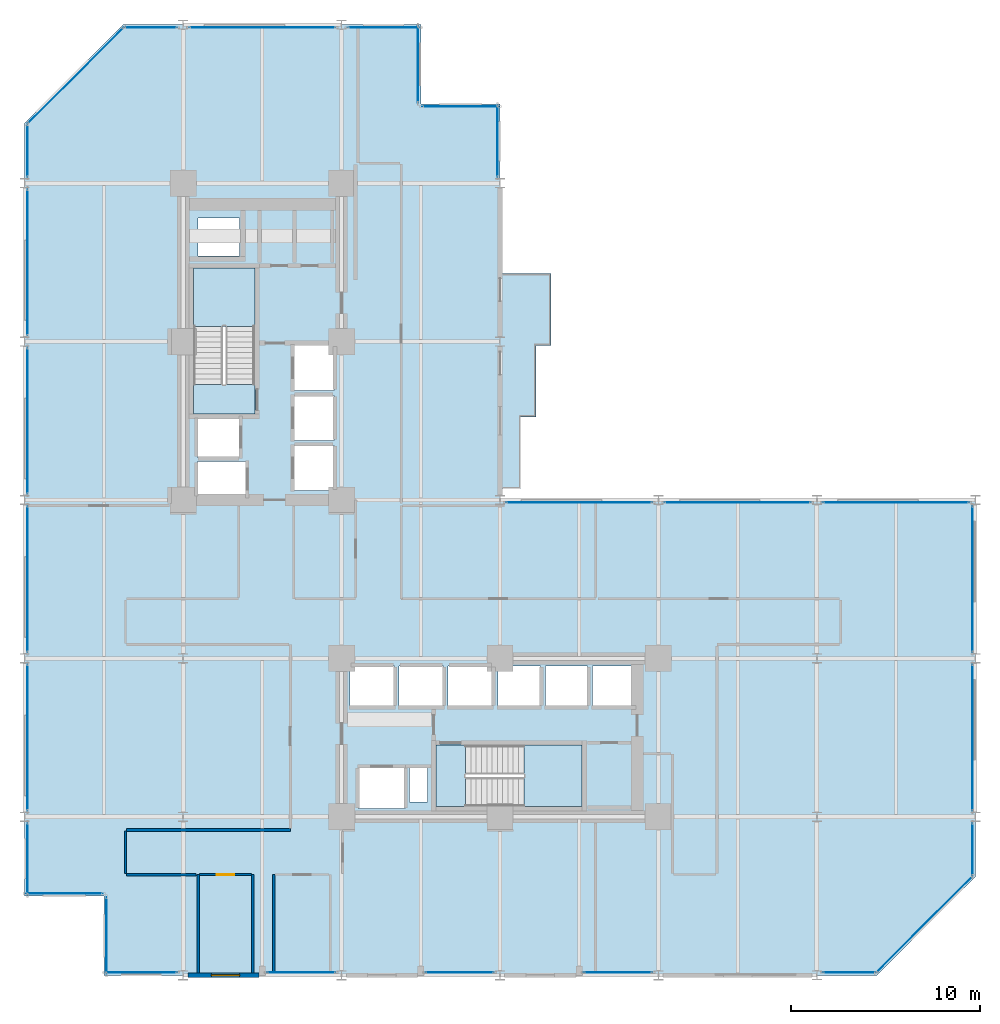
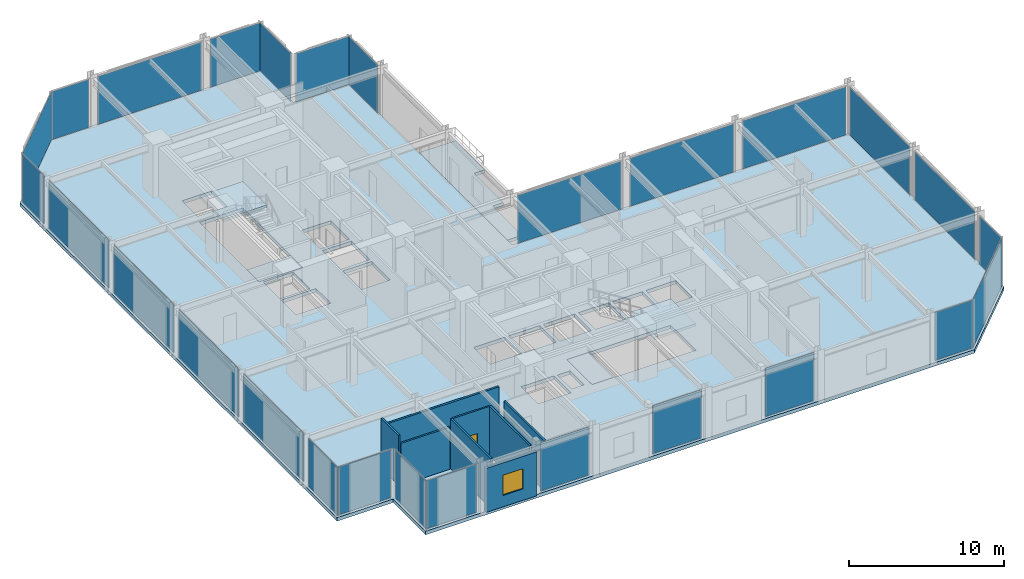
# One storey, part 18 of 24: 27 plates, 8 walls, 6 slabs, 1 door, 1 window, 2 openings, 29 elements without a shape of their own.
"""IFC4 building model written with IfcOpenShell, lengths in metres."""

from ifc_helpers import new_model, si_unit, direction, frame, frame_2d, origin, origin_2d, place, context, subcontext, project, spatial, polyline, rectangle, outline, extrude, material, layer, layer_set, type_object, element, fill, aggregate, save


model = new_model("IFC4")

# Units and contexts
model_context = context("Model", 3, precision=1e-05, world=origin(), true_north=direction((0.0, 1.0)))
body_context = subcontext(model_context, "Body", "Model", "MODEL_VIEW")
ifc_project = project(units=[si_unit("LENGTHUNIT", "METRE"), si_unit("AREAUNIT", "SQUARE_METRE"), si_unit("VOLUMEUNIT", "CUBIC_METRE"), si_unit("PLANEANGLEUNIT", "RADIAN"), si_unit("MASSUNIT", "GRAM", prefix="KILO")], contexts=[model_context])

# Site, building, storey
site_placement = place(None, origin())
site = spatial("IfcSite", under=ifc_project, at=site_placement, CompositionType="ELEMENT")
building_placement = place(site_placement, origin())
building = spatial("IfcBuilding", under=site, at=building_placement, Name="Nerrivon Quay Data Exchange", CompositionType="ELEMENT")
storey_placement = place(building_placement, frame((0.0, 0.0, 37.39990234375)))
storey = spatial("IfcBuildingStorey", under=building, at=storey_placement, Name="L08", CompositionType="ELEMENT", Elevation=37.39990234375)

# Curtain wall, plate
ifc_material_1 = material(Name="Anodised aluminium 6063-T6", Category="aluminium")
ifc_layer_1 = layer(ifc_material_1, 0.219970703125)
ifc_layer_set_1 = layer_set([ifc_layer_1], Name="Anodised aluminium 6063-T6")
curtain_wall_type = type_object("IfcCurtainWallType", Name="CW-SYS-01", PredefinedType="NOTDEFINED", material=ifc_layer_set_1)
curtain_wall_1_placement = place(storey_placement, origin())
curtain_wall_1 = element("IfcCurtainWall", 1, at=curtain_wall_1_placement, inside=storey, type_object=curtain_wall_type, Name="L08 Unitised Curtain Wall 1", PredefinedType="NOTDEFINED")
ifc_material_2 = material(Name="Double-glazed low-E solar control glass", Category="glass")
ifc_layer_2 = layer(ifc_material_2, 0.028076171875)
ifc_layer_set_2 = layer_set([ifc_layer_2], Name="Double-glazed low-E solar control glass")
plate_type = type_object("IfcPlateType", Name="CWP-GLZ-28", PredefinedType="CURTAIN_PANEL", material=ifc_layer_set_2)
plate_1_placement = place(storey_placement, frame((47.700927734375, 2.698974609375, 0.065185546875), z_axis=(0.0, 0.0, 1.0), x_axis=(-0.707106781187, -0.707106781187, 0.0)))
plate_1 = element("IfcPlate", 2, at=plate_1_placement, type_object=plate_type, Name="CW01 panel 1.1", PredefinedType="CURTAIN_PANEL", context=body_context, shape_type="SweptSolid", body=[
    extrude(rectangle(XDim=7.203857421875, YDim=0.028076171875, at=origin_2d()), origin(), (0.0, 0.0, 1.0), 3.794921875),
])
aggregate(curtain_wall_1, [plate_1])

curtain_wall_2_placement = place(storey_placement, origin())
curtain_wall_2 = element("IfcCurtainWall", 3, at=curtain_wall_2_placement, inside=storey, type_object=curtain_wall_type, Name="L08 Unitised Curtain Wall 2", PredefinedType="NOTDEFINED")
plate_2_placement = place(storey_placement, frame((43.72509765625, 0.139892578125, 0.065185546875), z_axis=(0.0, 0.0, 1.0), x_axis=(-1.0, 0.0, 0.0)))
plate_2 = element("IfcPlate", 4, at=plate_2_placement, type_object=plate_type, Name="CW01 panel 1.1", PredefinedType="CURTAIN_PANEL", context=body_context, shape_type="SweptSolid", body=[
    extrude(rectangle(XDim=2.800048828125, YDim=0.028076171875, at=origin_2d()), origin(), (0.0, 0.0, 1.0), 3.794921875),
])
aggregate(curtain_wall_2, [plate_2])

curtain_wall_3_placement = place(storey_placement, origin())
curtain_wall_3 = element("IfcCurtainWall", 5, at=curtain_wall_3_placement, inside=storey, type_object=curtain_wall_type, Name="L08 Unitised Curtain Wall 4", PredefinedType="NOTDEFINED")
plate_3_placement = place(storey_placement, frame((31.46240234375, 0.139892578125, 0.065185546875), z_axis=(0.0, 0.0, 1.0), x_axis=(-1.0, 0.0, 0.0)))
plate_3 = element("IfcPlate", 6, at=plate_3_placement, type_object=plate_type, Name="CW01 panel 1.1", PredefinedType="CURTAIN_PANEL", context=body_context, shape_type="SweptSolid", body=[
    extrude(rectangle(XDim=3.625, YDim=0.028076171875, at=origin_2d()), origin(), (0.0, 0.0, 1.0), 3.794921875),
])
aggregate(curtain_wall_3, [plate_3])

curtain_wall_4_placement = place(storey_placement, origin())
curtain_wall_4 = element("IfcCurtainWall", 7, at=curtain_wall_4_placement, inside=storey, type_object=curtain_wall_type, Name="L08 Unitised Curtain Wall 6", PredefinedType="NOTDEFINED")
plate_4_placement = place(storey_placement, frame((23.0625, 0.139892578125, 0.065185546875), z_axis=(0.0, 0.0, 1.0), x_axis=(-1.0, 0.0, 0.0)))
plate_4 = element("IfcPlate", 8, at=plate_4_placement, type_object=plate_type, Name="CW01 panel 1.1", PredefinedType="CURTAIN_PANEL", context=body_context, shape_type="SweptSolid", body=[
    extrude(rectangle(XDim=3.625, YDim=0.028076171875, at=origin_2d()), origin(), (0.0, 0.0, 1.0), 3.794921875),
])
aggregate(curtain_wall_4, [plate_4])

curtain_wall_5_placement = place(storey_placement, origin())
curtain_wall_5 = element("IfcCurtainWall", 9, at=curtain_wall_5_placement, inside=storey, type_object=curtain_wall_type, Name="L08 Unitised Curtain Wall 8", PredefinedType="NOTDEFINED")
plate_5_placement = place(storey_placement, frame((14.66259765625, 0.139892578125, 0.065185546875), z_axis=(0.0, 0.0, 1.0), x_axis=(-1.0, 0.0, 0.0)))
plate_5 = element("IfcPlate", 10, at=plate_5_placement, type_object=plate_type, Name="CW01 panel 1.1", PredefinedType="CURTAIN_PANEL", context=body_context, shape_type="SweptSolid", body=[
    extrude(rectangle(XDim=3.625, YDim=0.028076171875, at=origin_2d()), origin(), (0.0, 0.0, 1.0), 3.794921875),
])
aggregate(curtain_wall_5, [plate_5])

curtain_wall_6_placement = place(storey_placement, origin())
curtain_wall_6 = element("IfcCurtainWall", 11, at=curtain_wall_6_placement, inside=storey, type_object=curtain_wall_type, Name="L08 Unitised Curtain Wall 10", PredefinedType="NOTDEFINED")
plate_6_placement = place(storey_placement, frame((6.175048828125, 0.139892578125, 0.065185546875), z_axis=(0.0, 0.0, 1.0), x_axis=(-1.0, 0.0, 0.0)))
plate_6 = element("IfcPlate", 12, at=plate_6_placement, type_object=plate_type, Name="CW01 panel 1.1", PredefinedType="CURTAIN_PANEL", context=body_context, shape_type="SweptSolid", body=[
    extrude(rectangle(XDim=3.800048828125, YDim=0.028076171875, at=origin_2d()), origin(), (0.0, 0.0, 1.0), 3.794921875),
])
aggregate(curtain_wall_6, [plate_6])

curtain_wall_7_placement = place(storey_placement, origin())
curtain_wall_7 = element("IfcCurtainWall", 13, at=curtain_wall_7_placement, inside=storey, type_object=curtain_wall_type, Name="L08 Unitised Curtain Wall 11", PredefinedType="NOTDEFINED")
plate_7_placement = place(storey_placement, frame((4.340087890625, 2.10009765625, 0.065185546875), z_axis=(0.0, 0.0, 1.0), x_axis=(0.0, 1.0, 0.0)))
plate_7 = element("IfcPlate", 14, at=plate_7_placement, type_object=plate_type, Name="CW01 panel 1.1", PredefinedType="CURTAIN_PANEL", context=body_context, shape_type="SweptSolid", body=[
    extrude(rectangle(XDim=4.050048828125, YDim=0.028076171875, at=origin_2d()), origin(), (0.0, 0.0, 1.0), 3.794921875),
])
aggregate(curtain_wall_7, [plate_7])

curtain_wall_8_placement = place(storey_placement, origin())
curtain_wall_8 = element("IfcCurtainWall", 15, at=curtain_wall_8_placement, inside=storey, type_object=curtain_wall_type, Name="L08 Unitised Curtain Wall 12", PredefinedType="NOTDEFINED")
plate_8_placement = place(storey_placement, frame((2.10009765625, 4.340087890625, 0.065185546875), z_axis=(0.0, 0.0, 1.0), x_axis=(-1.0, 0.0, 0.0)))
plate_8 = element("IfcPlate", 16, at=plate_8_placement, type_object=plate_type, Name="CW01 panel 1.1", PredefinedType="CURTAIN_PANEL", context=body_context, shape_type="SweptSolid", body=[
    extrude(rectangle(XDim=4.050048828125, YDim=0.028076171875, at=origin_2d()), origin(), (0.0, 0.0, 1.0), 3.794921875),
])
aggregate(curtain_wall_8, [plate_8])

curtain_wall_9_placement = place(storey_placement, origin())
curtain_wall_9 = element("IfcCurtainWall", 17, at=curtain_wall_9_placement, inside=storey, type_object=curtain_wall_type, Name="L08 Unitised Curtain Wall 13", PredefinedType="NOTDEFINED")
plate_9_placement = place(storey_placement, frame((0.139892578125, 6.175048828125, 0.065185546875), z_axis=(0.0, 0.0, 1.0), x_axis=(0.0, 1.0, 0.0)))
plate_9 = element("IfcPlate", 18, at=plate_9_placement, type_object=plate_type, Name="CW01 panel 1.1", PredefinedType="CURTAIN_PANEL", context=body_context, shape_type="SweptSolid", body=[
    extrude(rectangle(XDim=3.800048828125, YDim=0.028076171875, at=origin_2d()), origin(), (0.0, 0.0, 1.0), 3.794921875),
])
aggregate(curtain_wall_9, [plate_9])

curtain_wall_10_placement = place(storey_placement, origin())
curtain_wall_10 = element("IfcCurtainWall", 19, at=curtain_wall_10_placement, inside=storey, type_object=curtain_wall_type, Name="L08 Unitised Curtain Wall 14", PredefinedType="NOTDEFINED")
plate_10_placement = place(storey_placement, frame((0.139892578125, 12.60009765625, 0.065185546875), z_axis=(0.0, 0.0, 1.0), x_axis=(0.0, 1.0, 0.0)))
plate_10 = element("IfcPlate", 20, at=plate_10_placement, type_object=plate_type, Name="CW01 panel 1.1", PredefinedType="CURTAIN_PANEL", context=body_context, shape_type="SweptSolid", body=[
    extrude(rectangle(XDim=7.75, YDim=0.028076171875, at=origin_2d()), origin(), (0.0, 0.0, 1.0), 3.794921875),
])
aggregate(curtain_wall_10, [plate_10])

curtain_wall_11_placement = place(storey_placement, origin())
curtain_wall_11 = element("IfcCurtainWall", 21, at=curtain_wall_11_placement, inside=storey, type_object=curtain_wall_type, Name="L08 Unitised Curtain Wall 15", PredefinedType="NOTDEFINED")
plate_11_placement = place(storey_placement, frame((0.139892578125, 21.0, 0.065185546875), z_axis=(0.0, 0.0, 1.0), x_axis=(0.0, 1.0, 0.0)))
plate_11 = element("IfcPlate", 22, at=plate_11_placement, type_object=plate_type, Name="CW01 panel 1.1", PredefinedType="CURTAIN_PANEL", context=body_context, shape_type="SweptSolid", body=[
    extrude(rectangle(XDim=7.75, YDim=0.028076171875, at=origin_2d()), origin(), (0.0, 0.0, 1.0), 3.794921875),
])
aggregate(curtain_wall_11, [plate_11])

curtain_wall_12_placement = place(storey_placement, origin())
curtain_wall_12 = element("IfcCurtainWall", 23, at=curtain_wall_12_placement, inside=storey, type_object=curtain_wall_type, Name="L08 Unitised Curtain Wall 16", PredefinedType="NOTDEFINED")
plate_12_placement = place(storey_placement, frame((0.139892578125, 29.39990234375, 0.065185546875), z_axis=(0.0, 0.0, 1.0), x_axis=(0.0, 1.0, 0.0)))
plate_12 = element("IfcPlate", 24, at=plate_12_placement, type_object=plate_type, Name="CW01 panel 1.1", PredefinedType="CURTAIN_PANEL", context=body_context, shape_type="SweptSolid", body=[
    extrude(rectangle(XDim=7.75, YDim=0.028076171875, at=origin_2d()), origin(), (0.0, 0.0, 1.0), 3.794921875),
])
aggregate(curtain_wall_12, [plate_12])

curtain_wall_13_placement = place(storey_placement, origin())
curtain_wall_13 = element("IfcCurtainWall", 25, at=curtain_wall_13_placement, inside=storey, type_object=curtain_wall_type, Name="L08 Unitised Curtain Wall 17", PredefinedType="NOTDEFINED")
plate_13_placement = place(storey_placement, frame((0.139892578125, 37.800048828125, 0.065185546875), z_axis=(0.0, 0.0, 1.0), x_axis=(0.0, 1.0, 0.0)))
plate_13 = element("IfcPlate", 26, at=plate_13_placement, type_object=plate_type, Name="CW01 panel 1.1", PredefinedType="CURTAIN_PANEL", context=body_context, shape_type="SweptSolid", body=[
    extrude(rectangle(XDim=7.75, YDim=0.028076171875, at=origin_2d()), origin(), (0.0, 0.0, 1.0), 3.794921875),
])
aggregate(curtain_wall_13, [plate_13])

curtain_wall_14_placement = place(storey_placement, origin())
curtain_wall_14 = element("IfcCurtainWall", 27, at=curtain_wall_14_placement, inside=storey, type_object=curtain_wall_type, Name="L08 Unitised Curtain Wall 18", PredefinedType="NOTDEFINED")
plate_14_placement = place(storey_placement, frame((0.139892578125, 43.72509765625, 0.065185546875), z_axis=(0.0, 0.0, 1.0), x_axis=(0.0, 1.0, 0.0)))
plate_14 = element("IfcPlate", 28, at=plate_14_placement, type_object=plate_type, Name="CW01 panel 1.1", PredefinedType="CURTAIN_PANEL", context=body_context, shape_type="SweptSolid", body=[
    extrude(rectangle(XDim=2.800048828125, YDim=0.028076171875, at=origin_2d()), origin(), (0.0, 0.0, 1.0), 3.794921875),
])
aggregate(curtain_wall_14, [plate_14])

curtain_wall_15_placement = place(storey_placement, origin())
curtain_wall_15 = element("IfcCurtainWall", 29, at=curtain_wall_15_placement, inside=storey, type_object=curtain_wall_type, Name="L08 Unitised Curtain Wall 19", PredefinedType="NOTDEFINED")
plate_15_placement = place(storey_placement, frame((2.698974609375, 47.700927734375, 0.065185546875), z_axis=(0.0, 0.0, 1.0), x_axis=(0.707106781187, 0.707106781187, 0.0)))
plate_15 = element("IfcPlate", 30, at=plate_15_placement, type_object=plate_type, Name="CW01 panel 1.1", PredefinedType="CURTAIN_PANEL", context=body_context, shape_type="SweptSolid", body=[
    extrude(rectangle(XDim=7.203857421875, YDim=0.028076171875, at=origin_2d()), origin(), (0.0, 0.0, 1.0), 3.794921875),
])
aggregate(curtain_wall_15, [plate_15])

curtain_wall_16_placement = place(storey_placement, origin())
curtain_wall_16 = element("IfcCurtainWall", 31, at=curtain_wall_16_placement, inside=storey, type_object=curtain_wall_type, Name="L08 Unitised Curtain Wall 20", PredefinedType="NOTDEFINED")
plate_16_placement = place(storey_placement, frame((6.675048828125, 50.260009765625, 0.065185546875), z_axis=(0.0, 0.0, 1.0), x_axis=(1.0, 0.0, 0.0)))
plate_16 = element("IfcPlate", 32, at=plate_16_placement, type_object=plate_type, Name="CW01 panel 1.1", PredefinedType="CURTAIN_PANEL", context=body_context, shape_type="SweptSolid", body=[
    extrude(rectangle(XDim=2.800048828125, YDim=0.028076171875, at=origin_2d()), origin(), (0.0, 0.0, 1.0), 3.794921875),
])
aggregate(curtain_wall_16, [plate_16])

curtain_wall_17_placement = place(storey_placement, origin())
curtain_wall_17 = element("IfcCurtainWall", 33, at=curtain_wall_17_placement, inside=storey, type_object=curtain_wall_type, Name="L08 Unitised Curtain Wall 21", PredefinedType="NOTDEFINED")
plate_17_placement = place(storey_placement, frame((12.60009765625, 50.260009765625, 0.065185546875), z_axis=(0.0, 0.0, 1.0), x_axis=(1.0, 0.0, 0.0)))
plate_17 = element("IfcPlate", 34, at=plate_17_placement, type_object=plate_type, Name="CW01 panel 1.1", PredefinedType="CURTAIN_PANEL", context=body_context, shape_type="SweptSolid", body=[
    extrude(rectangle(XDim=7.75, YDim=0.028076171875, at=origin_2d()), origin(), (0.0, 0.0, 1.0), 3.794921875),
])
aggregate(curtain_wall_17, [plate_17])

curtain_wall_18_placement = place(storey_placement, origin())
curtain_wall_18 = element("IfcCurtainWall", 35, at=curtain_wall_18_placement, inside=storey, type_object=curtain_wall_type, Name="L08 Unitised Curtain Wall 22", PredefinedType="NOTDEFINED")
plate_18_placement = place(storey_placement, frame((19.02490234375, 50.260009765625, 0.065185546875), z_axis=(0.0, 0.0, 1.0), x_axis=(1.0, 0.0, 0.0)))
plate_18 = element("IfcPlate", 36, at=plate_18_placement, type_object=plate_type, Name="CW01 panel 1.1", PredefinedType="CURTAIN_PANEL", context=body_context, shape_type="SweptSolid", body=[
    extrude(rectangle(XDim=3.800048828125, YDim=0.028076171875, at=origin_2d()), origin(), (0.0, 0.0, 1.0), 3.794921875),
])
aggregate(curtain_wall_18, [plate_18])

curtain_wall_19_placement = place(storey_placement, origin())
curtain_wall_19 = element("IfcCurtainWall", 37, at=curtain_wall_19_placement, inside=storey, type_object=curtain_wall_type, Name="L08 Unitised Curtain Wall 23", PredefinedType="NOTDEFINED")
plate_19_placement = place(storey_placement, frame((20.860107421875, 48.300048828125, 0.065185546875), z_axis=(0.0, 0.0, 1.0), x_axis=(0.0, -1.0, 0.0)))
plate_19 = element("IfcPlate", 38, at=plate_19_placement, type_object=plate_type, Name="CW01 panel 1.1", PredefinedType="CURTAIN_PANEL", context=body_context, shape_type="SweptSolid", body=[
    extrude(rectangle(XDim=4.050048828125, YDim=0.028076171875, at=origin_2d()), origin(), (0.0, 0.0, 1.0), 3.794921875),
])
aggregate(curtain_wall_19, [plate_19])

curtain_wall_20_placement = place(storey_placement, origin())
curtain_wall_20 = element("IfcCurtainWall", 39, at=curtain_wall_20_placement, inside=storey, type_object=curtain_wall_type, Name="L08 Unitised Curtain Wall 24", PredefinedType="NOTDEFINED")
plate_20_placement = place(storey_placement, frame((23.10009765625, 46.06005859375, 0.065185546875), z_axis=(0.0, 0.0, 1.0), x_axis=(1.0, 0.0, 0.0)))
plate_20 = element("IfcPlate", 40, at=plate_20_placement, type_object=plate_type, Name="CW01 panel 1.1", PredefinedType="CURTAIN_PANEL", context=body_context, shape_type="SweptSolid", body=[
    extrude(rectangle(XDim=4.050048828125, YDim=0.028076171875, at=origin_2d()), origin(), (0.0, 0.0, 1.0), 3.794921875),
])
aggregate(curtain_wall_20, [plate_20])

curtain_wall_21_placement = place(storey_placement, origin())
curtain_wall_21 = element("IfcCurtainWall", 41, at=curtain_wall_21_placement, inside=storey, type_object=curtain_wall_type, Name="L08 Unitised Curtain Wall 25", PredefinedType="NOTDEFINED")
plate_21_placement = place(storey_placement, frame((25.06005859375, 44.22509765625, 0.065185546875), z_axis=(0.0, 0.0, 1.0), x_axis=(0.0, -1.0, 0.0)))
plate_21 = element("IfcPlate", 42, at=plate_21_placement, type_object=plate_type, Name="CW01 panel 1.1", PredefinedType="CURTAIN_PANEL", context=body_context, shape_type="SweptSolid", body=[
    extrude(rectangle(XDim=3.800048828125, YDim=0.028076171875, at=origin_2d()), origin(), (0.0, 0.0, 1.0), 3.794921875),
])
aggregate(curtain_wall_21, [plate_21])

curtain_wall_22_placement = place(storey_placement, origin())
curtain_wall_22 = element("IfcCurtainWall", 43, at=curtain_wall_22_placement, inside=storey, type_object=curtain_wall_type, Name="L08 Unitised Curtain Wall 28", PredefinedType="NOTDEFINED")
plate_22_placement = place(storey_placement, frame((29.39990234375, 25.06005859375, 0.065185546875), z_axis=(0.0, 0.0, 1.0), x_axis=(1.0, 0.0, 0.0)))
plate_22 = element("IfcPlate", 44, at=plate_22_placement, type_object=plate_type, Name="CW01 panel 1.1", PredefinedType="CURTAIN_PANEL", context=body_context, shape_type="SweptSolid", body=[
    extrude(rectangle(XDim=7.75, YDim=0.028076171875, at=origin_2d()), origin(), (0.0, 0.0, 1.0), 3.794921875),
])
aggregate(curtain_wall_22, [plate_22])

curtain_wall_23_placement = place(storey_placement, origin())
curtain_wall_23 = element("IfcCurtainWall", 45, at=curtain_wall_23_placement, inside=storey, type_object=curtain_wall_type, Name="L08 Unitised Curtain Wall 29", PredefinedType="NOTDEFINED")
plate_23_placement = place(storey_placement, frame((37.800048828125, 25.06005859375, 0.065185546875), z_axis=(0.0, 0.0, 1.0), x_axis=(1.0, 0.0, 0.0)))
plate_23 = element("IfcPlate", 46, at=plate_23_placement, type_object=plate_type, Name="CW01 panel 1.1", PredefinedType="CURTAIN_PANEL", context=body_context, shape_type="SweptSolid", body=[
    extrude(rectangle(XDim=7.75, YDim=0.028076171875, at=origin_2d()), origin(), (0.0, 0.0, 1.0), 3.794921875),
])
aggregate(curtain_wall_23, [plate_23])

curtain_wall_24_placement = place(storey_placement, origin())
curtain_wall_24 = element("IfcCurtainWall", 47, at=curtain_wall_24_placement, inside=storey, type_object=curtain_wall_type, Name="L08 Unitised Curtain Wall 30", PredefinedType="NOTDEFINED")
plate_24_placement = place(storey_placement, frame((46.199951171875, 25.06005859375, 0.065185546875), z_axis=(0.0, 0.0, 1.0), x_axis=(1.0, 0.0, 0.0)))
plate_24 = element("IfcPlate", 48, at=plate_24_placement, type_object=plate_type, Name="CW01 panel 1.1", PredefinedType="CURTAIN_PANEL", context=body_context, shape_type="SweptSolid", body=[
    extrude(rectangle(XDim=7.75, YDim=0.028076171875, at=origin_2d()), origin(), (0.0, 0.0, 1.0), 3.794921875),
])
aggregate(curtain_wall_24, [plate_24])

curtain_wall_25_placement = place(storey_placement, origin())
curtain_wall_25 = element("IfcCurtainWall", 49, at=curtain_wall_25_placement, inside=storey, type_object=curtain_wall_type, Name="L08 Unitised Curtain Wall 31", PredefinedType="NOTDEFINED")
plate_25_placement = place(storey_placement, frame((50.260009765625, 21.0, 0.065185546875), z_axis=(0.0, 0.0, 1.0), x_axis=(0.0, -1.0, 0.0)))
plate_25 = element("IfcPlate", 50, at=plate_25_placement, type_object=plate_type, Name="CW01 panel 1.1", PredefinedType="CURTAIN_PANEL", context=body_context, shape_type="SweptSolid", body=[
    extrude(rectangle(XDim=7.75, YDim=0.028076171875, at=origin_2d()), origin(), (0.0, 0.0, 1.0), 3.794921875),
])
aggregate(curtain_wall_25, [plate_25])

curtain_wall_26_placement = place(storey_placement, origin())
curtain_wall_26 = element("IfcCurtainWall", 51, at=curtain_wall_26_placement, inside=storey, type_object=curtain_wall_type, Name="L08 Unitised Curtain Wall 32", PredefinedType="NOTDEFINED")
plate_26_placement = place(storey_placement, frame((50.260009765625, 12.60009765625, 0.065185546875), z_axis=(0.0, 0.0, 1.0), x_axis=(0.0, -1.0, 0.0)))
plate_26 = element("IfcPlate", 52, at=plate_26_placement, type_object=plate_type, Name="CW01 panel 1.1", PredefinedType="CURTAIN_PANEL", context=body_context, shape_type="SweptSolid", body=[
    extrude(rectangle(XDim=7.75, YDim=0.028076171875, at=origin_2d()), origin(), (0.0, 0.0, 1.0), 3.794921875),
])
aggregate(curtain_wall_26, [plate_26])

curtain_wall_27_placement = place(storey_placement, origin())
curtain_wall_27 = element("IfcCurtainWall", 53, at=curtain_wall_27_placement, inside=storey, type_object=curtain_wall_type, Name="L08 Unitised Curtain Wall 33", PredefinedType="NOTDEFINED")
plate_27_placement = place(storey_placement, frame((50.260009765625, 6.675048828125, 0.065185546875), z_axis=(0.0, 0.0, 1.0), x_axis=(0.0, -1.0, 0.0)))
plate_27 = element("IfcPlate", 54, at=plate_27_placement, type_object=plate_type, Name="CW01 panel 1.1", PredefinedType="CURTAIN_PANEL", context=body_context, shape_type="SweptSolid", body=[
    extrude(rectangle(XDim=2.800048828125, YDim=0.028076171875, at=origin_2d()), origin(), (0.0, 0.0, 1.0), 3.794921875),
])
aggregate(curtain_wall_27, [plate_27])

# Slab
ifc_material_3 = material(Name="Precast white architectural concrete N50 (50 MPa)", Category="concrete")
ifc_layer_3 = layer(ifc_material_3, 0.25)
ifc_layer_set_3 = layer_set([ifc_layer_3], Name="Precast white architectural concrete N50 (50 MPa)")
slab_type_1 = type_object("IfcSlabType", Name="SLB-BAL-250", PredefinedType="FLOOR", material=ifc_layer_set_3)
slab_1_placement = place(storey_placement, frame((0.0, 0.0, -0.25)))
element("IfcSlab", 55, at=slab_1_placement, inside=storey, type_object=slab_type_1, Name="L08 Waterfront Subtropical Verandah", PredefinedType="FLOOR", context=body_context, shape_type="SweptSolid", body=[
    extrude(outline(polyline([(26.300048828125, 29.60009765625), (27.10009765625, 29.60009765625), (27.10009765625, 33.39990234375), (27.89990234375, 33.39990234375), (27.89990234375, 37.199951171875), (25.199951171875, 37.199951171875), (25.199951171875, 33.39990234375), (25.199951171875, 29.60009765625), (25.199951171875, 25.800048828125), (26.300048828125, 25.800048828125), (26.300048828125, 29.60009765625)])), origin(), (0.0, 0.0, 1.0), 0.25),
])

# Stair, slab
ifc_material_4 = material(Name="Concrete N50 (50 MPa)", Category="concrete")
stair_type = type_object("IfcStairType", Name="STAIR-DOG-42", PredefinedType="HALF_TURN_STAIR", material=ifc_material_4)
stair_1_placement = place(storey_placement, origin())
stair_1 = element("IfcStair", 56, at=stair_1_placement, inside=storey, type_object=stair_type, Name="L08 West Core Fire Stair ST01", PredefinedType="HALF_TURN_STAIR")
ifc_layer_4 = layer(ifc_material_4, 0.199951171875)
ifc_layer_set_4 = layer_set([ifc_layer_4], Name="Concrete N50 (50 MPa)")
slab_type_2 = type_object("IfcSlabType", Name="SLB-LAND-200", PredefinedType="LANDING", material=ifc_layer_set_4)
slab_2_placement = place(storey_placement, frame((0.0, 0.0, 1.900146484375)))
slab_2 = element("IfcSlab", 57, at=slab_2_placement, type_object=slab_type_2, Name="ST01 landing 1", PredefinedType="LANDING", context=body_context, shape_type="SweptSolid", body=[
    extrude(outline(polyline([(12.199951171875, 34.409912109375), (12.199951171875, 37.5), (8.949951171875, 37.5), (8.949951171875, 34.409912109375), (12.199951171875, 34.409912109375)])), origin(), (0.0, 0.0, 1.0), 0.199951171875),
])
aggregate(stair_1, [slab_2])

# Slab
slab_3_placement = place(storey_placement, frame((0.0, 0.0, -0.199951171875)))
element("IfcSlab", 58, at=slab_3_placement, inside=storey, type_object=slab_type_2, Name="L08 ST01 floor landing", PredefinedType="LANDING", context=body_context, shape_type="SweptSolid", body=[
    extrude(outline(polyline([(12.199951171875, 29.75), (12.199951171875, 31.330078125), (8.949951171875, 31.330078125), (8.949951171875, 29.75), (12.199951171875, 29.75)])), origin(), (0.0, 0.0, 1.0), 0.199951171875),
])

# Stair, slab
stair_2_placement = place(storey_placement, origin())
stair_2 = element("IfcStair", 59, at=stair_2_placement, inside=storey, type_object=stair_type, Name="L08 East Core Fire Stair ST02", PredefinedType="HALF_TURN_STAIR")
slab_4_placement = place(storey_placement, frame((0.0, 0.0, 1.900146484375)))
slab_4 = element("IfcSlab", 60, at=slab_4_placement, type_object=slab_type_2, Name="ST02 landing 1", PredefinedType="LANDING", context=body_context, shape_type="SweptSolid", body=[
    extrude(outline(polyline([(26.4599609375, 8.949951171875), (29.550048828125, 8.949951171875), (29.550048828125, 12.199951171875), (26.4599609375, 12.199951171875), (26.4599609375, 8.949951171875)])), origin(), (0.0, 0.0, 1.0), 0.199951171875),
])
aggregate(stair_2, [slab_4])

# Slabs
slab_5_placement = place(storey_placement, frame((0.0, 0.0, -0.199951171875)))
element("IfcSlab", 61, at=slab_5_placement, inside=storey, type_object=slab_type_2, Name="L08 ST02 floor landing", PredefinedType="LANDING", context=body_context, shape_type="SweptSolid", body=[
    extrude(outline(polyline([(21.800048828125, 8.949951171875), (23.3798828125, 8.949951171875), (23.3798828125, 12.199951171875), (21.800048828125, 12.199951171875), (21.800048828125, 8.949951171875)])), origin(), (0.0, 0.0, 1.0), 0.199951171875),
])
ifc_layer_5 = layer(ifc_material_4, 0.27490234375)
ifc_layer_set_5 = layer_set([ifc_layer_5], Name="Concrete N50 (50 MPa)")
slab_type_3 = type_object("IfcSlabType", Name="SLB-TOW-275", PredefinedType="FLOOR", material=ifc_layer_set_5)
slab_6_placement = place(storey_placement, frame((0.0, 0.0, -0.27490234375)))
element("IfcSlab", 62, at=slab_6_placement, inside=storey, type_object=slab_type_3, Name="L08 Primary Structural Slab", PredefinedType="FLOOR", context=body_context, shape_type="SweptSolid", body=[
    extrude(outline(polyline([(50.39990234375, 25.199951171875), (25.199951171875, 25.199951171875), (25.199951171875, 46.199951171875), (21.0, 46.199951171875), (21.0, 50.39990234375), (5.199951171875, 50.39990234375), (0.0, 45.199951171875), (0.0, 4.199951171875), (4.199951171875, 4.199951171875), (4.199951171875, 0.0), (45.199951171875, 0.0), (50.39990234375, 5.199951171875), (50.39990234375, 25.199951171875)]), holes=[polyline([(8.949951171875, 29.75), (8.949951171875, 37.5), (12.199951171875, 37.5), (12.199951171875, 29.75), (8.949951171875, 29.75)]), polyline([(21.800048828125, 12.199951171875), (29.550048828125, 12.199951171875), (29.550048828125, 8.949951171875), (21.800048828125, 8.949951171875), (21.800048828125, 12.199951171875)]), polyline([(30.10009765625, 16.39990234375), (32.35009765625, 16.39990234375), (32.35009765625, 14.25), (30.10009765625, 14.25), (30.10009765625, 16.39990234375)]), polyline([(27.60009765625, 16.39990234375), (29.85009765625, 16.39990234375), (29.85009765625, 14.25), (27.60009765625, 14.25), (27.60009765625, 16.39990234375)]), polyline([(25.10009765625, 16.39990234375), (27.35009765625, 16.39990234375), (27.35009765625, 14.25), (25.10009765625, 14.25), (25.10009765625, 16.39990234375)]), polyline([(22.449951171875, 16.39990234375), (24.800048828125, 16.39990234375), (24.800048828125, 14.25), (22.449951171875, 14.25), (22.449951171875, 16.39990234375)]), polyline([(19.85009765625, 16.39990234375), (22.199951171875, 16.39990234375), (22.199951171875, 14.25), (19.85009765625, 14.25), (19.85009765625, 16.39990234375)]), polyline([(20.39990234375, 11.0), (21.35009765625, 11.0), (21.35009765625, 9.199951171875), (20.39990234375, 9.199951171875), (20.39990234375, 11.0)]), polyline([(17.699951171875, 8.830078125), (17.699951171875, 11.030029296875), (20.14990234375, 11.030029296875), (20.14990234375, 8.830078125), (17.699951171875, 8.830078125)]), polyline([(17.25, 14.25), (17.25, 16.39990234375), (19.60009765625, 16.39990234375), (19.60009765625, 14.25), (17.25, 14.25)]), polyline([(14.25, 28.10009765625), (16.39990234375, 28.10009765625), (16.39990234375, 25.699951171875), (14.25, 25.699951171875), (14.25, 28.10009765625)]), polyline([(14.25, 30.75), (16.39990234375, 30.75), (16.39990234375, 28.35009765625), (14.25, 28.35009765625), (14.25, 30.75)]), polyline([(14.25, 33.39990234375), (16.39990234375, 33.39990234375), (16.39990234375, 31.0), (14.25, 31.0), (14.25, 33.39990234375)]), polyline([(9.14990234375, 27.25), (11.75, 27.25), (11.75, 25.35009765625), (9.14990234375, 25.35009765625), (9.14990234375, 27.25)]), polyline([(9.14990234375, 29.60009765625), (11.39990234375, 29.60009765625), (11.39990234375, 27.449951171875), (9.14990234375, 27.449951171875), (9.14990234375, 29.60009765625)]), polyline([(9.199951171875, 40.14990234375), (11.39990234375, 40.14990234375), (11.39990234375, 38.14990234375), (9.199951171875, 38.14990234375), (9.199951171875, 40.14990234375)])]), origin(), (0.0, 0.0, 1.0), 0.27490234375),
])

# Wall, opening, window
ifc_material_5 = material(Name="Architectural terracotta precast concrete N50 (50 MPa)", Category="masonry")
ifc_layer_6 = layer(ifc_material_5, 0.239990234375)
ifc_layer_set_6 = layer_set([ifc_layer_6], Name="Architectural terracotta precast concrete N50 (50 MPa)")
wall_type_1 = type_object("IfcWallType", Name="EW-PREC-240", PredefinedType="STANDARD", material=ifc_layer_set_6)
wall_1_placement = place(storey_placement, frame((12.425048828125, 0.0, 0.0), z_axis=(0.0, 0.0, 1.0), x_axis=(-1.0, 0.0, 0.0)))
wall_1 = element("IfcWall", 63, at=wall_1_placement, inside=storey, type_object=wall_type_1, Name="L08 Podium Precast Spandrel Wall 9", PredefinedType="STANDARD", context=body_context, shape_type="SweptSolid", body=[
    extrude(rectangle(XDim=3.775146484375, YDim=0.239990234375, at=frame_2d((1.8876953125, 0.0))), origin(), (0.0, 0.0, 1.0), 3.47119140625),
])
opening_1_placement = place(wall_1_placement, frame((1.02490234375, 0.0, 0.89990234375)))
opening_1 = element("IfcOpeningElement", 64, at=opening_1_placement, cuts=wall_1, Name="Opening WN4", PredefinedType="OPENING", context=body_context, shape_type="SweptSolid", body=[
    extrude(rectangle(XDim=1.5, YDim=1.60009765625, at=frame_2d((0.75, 0.800048828125))), frame((0.0, 0.1298828125, 0.0), z_axis=(0.0, -1.0, 0.0), x_axis=(1.0, 0.0, 0.0)), (0.0, 0.0, 1.0), 0.260009765625),
])
window_type = type_object("IfcWindowType", Name="WIN-W4-1500x1600", PartitioningType="SINGLE_PANEL", PredefinedType="WINDOW", material=ifc_material_2)
window_placement = place(opening_1_placement, origin())
window = element("IfcWindow", 65, at=window_placement, inside=storey, type_object=window_type, Name="L08 Solar Facade Window 9", OverallHeight=1.60009765625, OverallWidth=1.5, PartitioningType="SINGLE_PANEL", PredefinedType="WINDOW", context=body_context, shape_type="SweptSolid", body=[
    extrude(rectangle(XDim=1.5, YDim=1.60009765625, at=frame_2d((0.75, 0.800048828125))), frame((0.0, 0.030029296875, 0.0), z_axis=(0.0, -1.0, 0.0), x_axis=(1.0, 0.0, 0.0)), (0.0, 0.0, 1.0), 0.06005859375),
])
fill(opening_1, window)

# Wall, opening, door
ifc_material_6 = material(Name="Gypsum plasterboard on cold-formed framing", Category="gypsum")
ifc_layer_7 = layer(ifc_material_6, 0.1201171875)
ifc_layer_set_7 = layer_set([ifc_layer_7], Name="Gypsum plasterboard on cold-formed framing")
wall_type_2 = type_object("IfcWallType", Name="WALL-PT-120", PredefinedType="PARTITIONING", material=ifc_layer_set_7)
wall_2_placement = place(storey_placement, frame((12.028564453125, 5.340087890625, 0.0), z_axis=(0.0, 0.0, 1.0), x_axis=(-1.0, 0.0, 0.0)))
wall_2 = element("IfcWall", 66, at=wall_2_placement, inside=storey, type_object=wall_type_2, Name="L08 Partition Public Washrooms", PredefinedType="PARTITIONING", context=body_context, shape_type="SweptSolid", body=[
    extrude(rectangle(XDim=2.757080078125, YDim=0.1201171875, at=frame_2d((1.37841796875, 0.0))), origin(), (0.0, 0.0, 1.0), 3.925048828125),
])
opening_2_placement = place(wall_2_placement, frame((0.91845703125, 0.0, 0.0)))
opening_2 = element("IfcOpeningElement", 67, at=opening_2_placement, cuts=wall_2, Name="Opening D-WC", PredefinedType="OPENING", context=body_context, shape_type="SweptSolid", body=[
    extrude(rectangle(XDim=0.919921875, YDim=2.10009765625, at=frame_2d((0.4599609375, 1.050048828125))), frame((0.0, 0.070068359375, 0.0), z_axis=(0.0, -1.0, 0.0), x_axis=(1.0, 0.0, 0.0)), (0.0, 0.0, 1.0), 0.14013671875),
])
ifc_material_7 = material(Name="Engineered hardwood timber", Category="wood")
door_type = type_object("IfcDoorType", Name="DR-WC-920", OperationType="NOTDEFINED", PredefinedType="DOOR", material=ifc_material_7)
door_placement = place(opening_2_placement, origin())
door = element("IfcDoor", 68, at=door_placement, inside=storey, type_object=door_type, Name="L08 Door Public Washrooms", OperationType="SINGLE_SWING_LEFT", OverallHeight=2.10009765625, OverallWidth=0.919921875, PredefinedType="DOOR", context=body_context, shape_type="SweptSolid", body=[
    extrude(rectangle(XDim=0.919921875, YDim=2.10009765625, at=frame_2d((0.4599609375, 1.050048828125))), frame((0.0, 0.02490234375, 0.0), z_axis=(0.0, -1.0, 0.0), x_axis=(1.0, 0.0, 0.0)), (0.0, 0.0, 1.0), 0.050048828125),
])
fill(opening_2, door)

# Walls
wall_3_placement = place(storey_placement, frame((5.340087890625, 5.39990234375, 0.0), z_axis=(0.0, 0.0, 1.0), x_axis=(0.0, 1.0, 0.0)))
element("IfcWall", 69, at=wall_3_placement, inside=storey, type_object=wall_type_2, Name="L08 Partition Cloud Compute Workspace 1", PredefinedType="PARTITIONING", context=body_context, shape_type="SweptSolid", body=[
    extrude(rectangle(XDim=2.25, YDim=0.1201171875, at=frame_2d((1.125, 0.0))), origin(), (0.0, 0.0, 1.0), 3.925048828125),
])
ifc_layer_8 = layer(ifc_material_6, 0.135009765625)
ifc_layer_set_8 = layer_set([ifc_layer_8], Name="Gypsum plasterboard on cold-formed framing")
wall_type_3 = type_object("IfcWallType", Name="WALL-PT-135", PredefinedType="PARTITIONING", material=ifc_layer_set_8)
wall_4_placement = place(storey_placement, frame((13.199951171875, 5.340087890625, 0.0), z_axis=(0.0, 0.0, 1.0), x_axis=(0.0, -1.0, 0.0)))
element("IfcWall", 70, at=wall_4_placement, inside=storey, type_object=wall_type_3, Name="L08 Partition Accessible Toilet", PredefinedType="PARTITIONING", context=body_context, shape_type="SweptSolid", body=[
    extrude(rectangle(XDim=5.171142578125, YDim=0.135009765625, at=frame_2d((2.58544921875, 0.0))), origin(), (0.0, 0.0, 1.0), 3.925048828125),
])
for number, where, z_axis, x_axis, name in (
    (71, (9.199951171875, 5.340087890625, 0.0), (0.0, 0.0, 1.0), (0.0, -1.0, 0.0), "L08 Partition Public Washrooms"),
    (72, (12.10009765625, 0.1240234375, 0.0), (0.0, 0.0, 1.0), (0.0, 1.0, 0.0), "L08 Partition Public Washrooms"),
):
    element("IfcWall", number, at=place(storey_placement, frame(where, z_axis=z_axis, x_axis=x_axis)), inside=storey, type_object=wall_type_3, Name=name, PredefinedType="PARTITIONING", context=body_context, shape_type="SweptSolid", body=[
        extrude(rectangle(XDim=5.216064453125, YDim=0.135009765625, at=frame_2d((2.60791015625, 0.0))), origin(), (0.0, 0.0, 1.0), 3.925048828125),
    ])
wall_5_placement = place(storey_placement, frame((9.080078125, 5.340087890625, 0.0), z_axis=(0.0, 0.0, 1.0), x_axis=(-1.0, 0.0, 0.0)))
element("IfcWall", 73, at=wall_5_placement, inside=storey, type_object=wall_type_3, Name="L08 Partition Cloud Compute Workspace 1", PredefinedType="PARTITIONING", context=body_context, shape_type="SweptSolid", body=[
    extrude(rectangle(XDim=3.68017578125, YDim=0.135009765625, at=frame_2d((1.840087890625, 0.0))), origin(), (0.0, 0.0, 1.0), 3.322998046875),
])
ifc_layer_9 = layer(ifc_material_6, 0.14990234375)
ifc_layer_set_9 = layer_set([ifc_layer_9], Name="Gypsum plasterboard on cold-formed framing")
wall_type_4 = type_object("IfcWallType", Name="WALL-PT-150", PredefinedType="PARTITIONING", material=ifc_layer_set_9)
wall_6_placement = place(storey_placement, frame((5.39990234375, 7.7099609375, 0.0), z_axis=(0.0, 0.0, 1.0), x_axis=(1.0, 0.0, 0.0)))
element("IfcWall", 74, at=wall_6_placement, inside=storey, type_object=wall_type_4, Name="L08 Partition Cloud Compute Workspace 1", PredefinedType="PARTITIONING", context=body_context, shape_type="SweptSolid", body=[
    extrude(rectangle(XDim=8.690185546875, YDim=0.14990234375, at=frame_2d((4.34521484375, 0.0))), origin(), (0.0, 0.0, 1.0), 3.322998046875),
])

save(model, "model.ifc")
